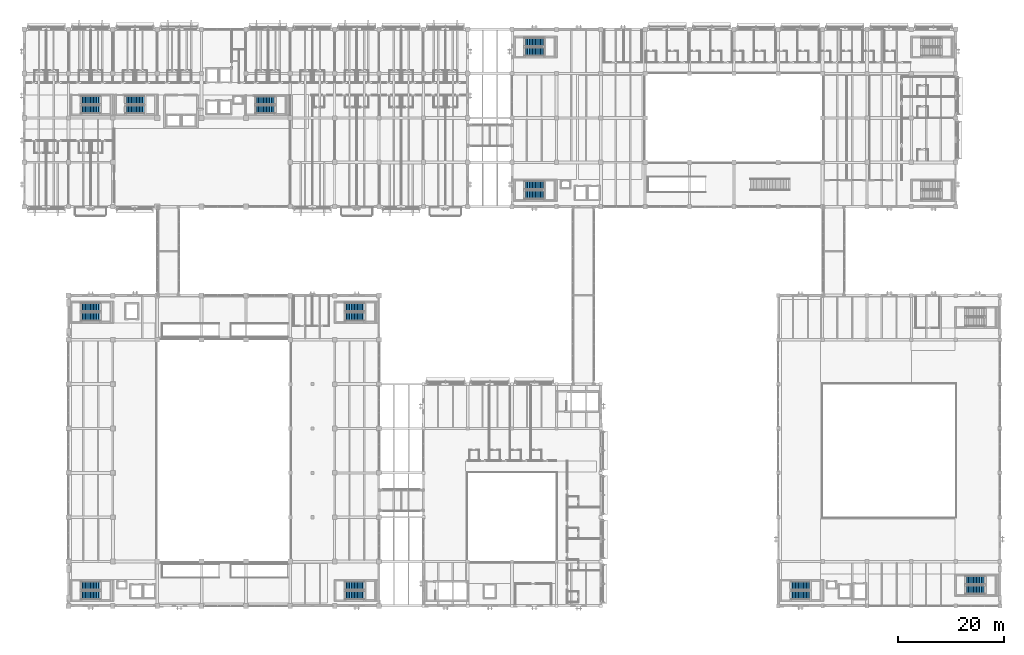
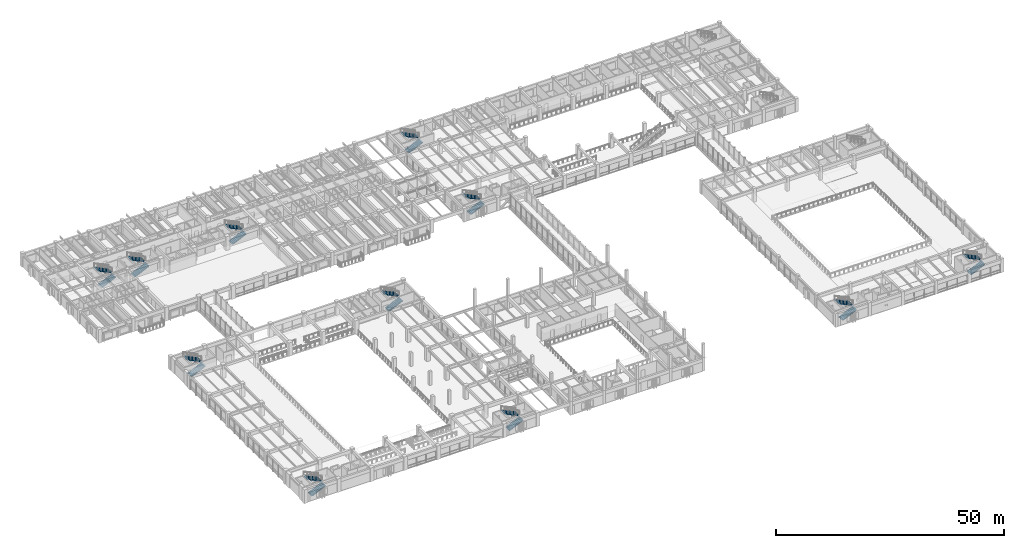
# One storey, part 84 of 118: 22 stair flights, 11 elements without a shape of their own.
"""IFC4 building model written with IfcOpenShell, lengths in metres."""

from ifc_helpers import new_model, si_unit, direction, frame, origin, place, context, subcontext, project, spatial, polyline, outline, extrude, material, type_object, element, aggregate, save


model = new_model("IFC4")

# Units and contexts
model_context = context("Model", 3, precision=1e-05, world=origin(), true_north=direction((0.0, 1.0)))
body_context = subcontext(model_context, "Body", "Model", "MODEL_VIEW")
ifc_project = project(units=[si_unit("LENGTHUNIT", "METRE"), si_unit("AREAUNIT", "SQUARE_METRE"), si_unit("VOLUMEUNIT", "CUBIC_METRE"), si_unit("PLANEANGLEUNIT", "RADIAN"), si_unit("MASSUNIT", "GRAM", prefix="KILO")], contexts=[model_context])

# Site, building, storey
site_placement = place(None, origin())
site = spatial("IfcSite", under=ifc_project, at=site_placement, CompositionType="ELEMENT")
building_placement = place(site_placement, origin())
building = spatial("IfcBuilding", under=site, at=building_placement, Name="Cumbredor Promenade Congress Hotel", CompositionType="ELEMENT")
storey_placement = place(building_placement, frame((0.0, 0.0, 3.919921875)))
storey = spatial("IfcBuildingStorey", under=building, at=storey_placement, Name="L01", CompositionType="ELEMENT", Elevation=3.919921875)

# Stair, stair flights
ifc_material = material(Name="Concrete C40/50", Category="concrete")
stair_type_1 = type_object("IfcStairType", Name="Protected Dog-Leg Exit Stair ST-T1 1550mm", PredefinedType="HALF_TURN_STAIR", material=ifc_material)
stair_1_placement = place(storey_placement, origin())
stair_1 = element("IfcStair", 1, at=stair_1_placement, inside=storey, type_object=stair_type_1, Name="L01 Protected Exit Stair ST-03", PredefinedType="HALF_TURN_STAIR")
stair_flight_type_1 = type_object("IfcStairFlightType", Name="Concrete Stair Flight SFL-T1 1550mm", PredefinedType="STRAIGHT", material=ifc_material)
stair_flight_1_placement = place(storey_placement, frame((43.800048828125, 102.39501953125, 0.0), z_axis=(0.0, 0.0, 1.0), x_axis=(1.0, 0.0, 0.0)))
stair_flight_1 = element("IfcStairFlight", 2, at=stair_flight_1_placement, type_object=stair_flight_type_1, Name="ST-03 flight 1", NumberOfRisers=13, NumberOfTreads=12, PredefinedType="STRAIGHT", RiserHeight=0.14, TreadLength=0.3, context=body_context, shape_type="SweptSolid", body=[
    extrude(outline(polyline([(0.0, 0.0), (0.0, 0.139892578125), (0.300048828125, 0.139892578125), (0.300048828125, 0.280029296875), (0.60009765625, 0.280029296875), (0.60009765625, 0.419921875), (0.89990234375, 0.419921875), (0.89990234375, 0.56005859375), (1.199951171875, 0.56005859375), (1.199951171875, 0.699951171875), (1.5, 0.699951171875), (1.5, 0.840087890625), (1.800048828125, 0.840087890625), (1.800048828125, 0.97998046875), (2.10009765625, 0.97998046875), (2.10009765625, 1.1201171875), (2.39990234375, 1.1201171875), (2.39990234375, 1.260009765625), (2.699951171875, 1.260009765625), (2.699951171875, 1.39990234375), (3.0, 1.39990234375), (3.0, 1.5400390625), (3.300048828125, 1.5400390625), (3.300048828125, 1.679931640625), (3.60009765625, 1.679931640625), (3.60009765625, 1.820068359375), (3.60009765625, 1.4814453125), (0.425537109375, 0.0), (0.0, 0.0)])), frame((0.0, 0.77490234375, 0.0), z_axis=(0.0, -1.0, 0.0), x_axis=(1.0, 0.0, 0.0)), (0.0, 0.0, 1.0), 1.550048828125),
])
stair_flight_2_placement = place(storey_placement, frame((47.39990234375, 104.094970703125, 1.820068359375), z_axis=(0.0, 0.0, 1.0), x_axis=(-1.0, 0.0, 0.0)))
stair_flight_2 = element("IfcStairFlight", 3, at=stair_flight_2_placement, type_object=stair_flight_type_1, Name="ST-03 flight 2", NumberOfRisers=13, NumberOfTreads=12, PredefinedType="STRAIGHT", RiserHeight=0.14, TreadLength=0.3, context=body_context, shape_type="SweptSolid", body=[
    extrude(outline(polyline([(0.0, 0.0), (0.0, 0.139892578125), (0.300048828125, 0.139892578125), (0.300048828125, 0.280029296875), (0.60009765625, 0.280029296875), (0.60009765625, 0.419921875), (0.89990234375, 0.419921875), (0.89990234375, 0.56005859375), (1.199951171875, 0.56005859375), (1.199951171875, 0.699951171875), (1.5, 0.699951171875), (1.5, 0.840087890625), (1.800048828125, 0.840087890625), (1.800048828125, 0.97998046875), (2.10009765625, 0.97998046875), (2.10009765625, 1.1201171875), (2.39990234375, 1.1201171875), (2.39990234375, 1.260009765625), (2.699951171875, 1.260009765625), (2.699951171875, 1.39990234375), (3.0, 1.39990234375), (3.0, 1.5400390625), (3.300048828125, 1.5400390625), (3.300048828125, 1.679931640625), (3.60009765625, 1.679931640625), (3.60009765625, 1.820068359375), (3.60009765625, 1.4814453125), (0.425537109375, 0.0), (0.0, 0.0)])), frame((0.0, 0.77490234375, 0.0), z_axis=(0.0, -1.0, 0.0), x_axis=(1.0, 0.0, 0.0)), (0.0, 0.0, 1.0), 1.550048828125),
])
aggregate(stair_1, [stair_flight_1, stair_flight_2])

stair_type_2 = type_object("IfcStairType", Name="Protected Dog-Leg Exit Stair ST-T2 1600mm", PredefinedType="HALF_TURN_STAIR", material=ifc_material)
stair_2_placement = place(storey_placement, origin())
stair_2 = element("IfcStair", 4, at=stair_2_placement, inside=storey, type_object=stair_type_2, Name="L01 Protected Exit Stair ST-01", PredefinedType="HALF_TURN_STAIR")
stair_flight_type_2 = type_object("IfcStairFlightType", Name="Concrete Stair Flight SFL-T2 1600mm", PredefinedType="STRAIGHT", material=ifc_material)
stair_flight_3_placement = place(storey_placement, frame((10.75, 102.419921875, 0.0), z_axis=(0.0, 0.0, 1.0), x_axis=(1.0, 0.0, 0.0)))
stair_flight_3 = element("IfcStairFlight", 5, at=stair_flight_3_placement, type_object=stair_flight_type_2, Name="ST-01 flight 1", NumberOfRisers=13, NumberOfTreads=12, PredefinedType="STRAIGHT", RiserHeight=0.14, TreadLength=0.3, context=body_context, shape_type="SweptSolid", body=[
    extrude(outline(polyline([(0.0, 0.0), (0.0, 0.139892578125), (0.300048828125, 0.139892578125), (0.300048828125, 0.280029296875), (0.60009765625, 0.280029296875), (0.60009765625, 0.419921875), (0.89990234375, 0.419921875), (0.89990234375, 0.56005859375), (1.199951171875, 0.56005859375), (1.199951171875, 0.699951171875), (1.5, 0.699951171875), (1.5, 0.840087890625), (1.800048828125, 0.840087890625), (1.800048828125, 0.97998046875), (2.10009765625, 0.97998046875), (2.10009765625, 1.1201171875), (2.39990234375, 1.1201171875), (2.39990234375, 1.260009765625), (2.699951171875, 1.260009765625), (2.699951171875, 1.39990234375), (3.0, 1.39990234375), (3.0, 1.5400390625), (3.300048828125, 1.5400390625), (3.300048828125, 1.679931640625), (3.60009765625, 1.679931640625), (3.60009765625, 1.820068359375), (3.60009765625, 1.4814453125), (0.425537109375, 0.0), (0.0, 0.0)])), frame((0.0, 0.800048828125, 0.0), z_axis=(0.0, -1.0, 0.0), x_axis=(1.0, 0.0, 0.0)), (0.0, 0.0, 1.0), 1.60009765625),
])
stair_flight_4_placement = place(storey_placement, frame((14.35009765625, 104.169921875, 1.820068359375), z_axis=(0.0, 0.0, 1.0), x_axis=(-1.0, 0.0, 0.0)))
stair_flight_4 = element("IfcStairFlight", 6, at=stair_flight_4_placement, type_object=stair_flight_type_2, Name="ST-01 flight 2", NumberOfRisers=13, NumberOfTreads=12, PredefinedType="STRAIGHT", RiserHeight=0.14, TreadLength=0.3, context=body_context, shape_type="SweptSolid", body=[
    extrude(outline(polyline([(0.0, 0.0), (0.0, 0.139892578125), (0.300048828125, 0.139892578125), (0.300048828125, 0.280029296875), (0.60009765625, 0.280029296875), (0.60009765625, 0.419921875), (0.89990234375, 0.419921875), (0.89990234375, 0.56005859375), (1.199951171875, 0.56005859375), (1.199951171875, 0.699951171875), (1.5, 0.699951171875), (1.5, 0.840087890625), (1.800048828125, 0.840087890625), (1.800048828125, 0.97998046875), (2.10009765625, 0.97998046875), (2.10009765625, 1.1201171875), (2.39990234375, 1.1201171875), (2.39990234375, 1.260009765625), (2.699951171875, 1.260009765625), (2.699951171875, 1.39990234375), (3.0, 1.39990234375), (3.0, 1.5400390625), (3.300048828125, 1.5400390625), (3.300048828125, 1.679931640625), (3.60009765625, 1.679931640625), (3.60009765625, 1.820068359375), (3.60009765625, 1.4814453125), (0.425537109375, 0.0), (0.0, 0.0)])), frame((0.0, 0.800048828125, 0.0), z_axis=(0.0, -1.0, 0.0), x_axis=(1.0, 0.0, 0.0)), (0.0, 0.0, 1.0), 1.60009765625),
])
aggregate(stair_2, [stair_flight_3, stair_flight_4])

stair_3_placement = place(storey_placement, origin())
stair_3 = element("IfcStair", 7, at=stair_3_placement, inside=storey, type_object=stair_type_2, Name="L01 Protected Exit Stair ST-02", PredefinedType="HALF_TURN_STAIR")
stair_flight_5_placement = place(storey_placement, frame((19.14990234375, 102.419921875, 0.0), z_axis=(0.0, 0.0, 1.0), x_axis=(1.0, 0.0, 0.0)))
stair_flight_5 = element("IfcStairFlight", 8, at=stair_flight_5_placement, type_object=stair_flight_type_2, Name="ST-02 flight 1", NumberOfRisers=13, NumberOfTreads=12, PredefinedType="STRAIGHT", RiserHeight=0.14, TreadLength=0.3, context=body_context, shape_type="SweptSolid", body=[
    extrude(outline(polyline([(0.0, 0.0), (0.0, 0.139892578125), (0.300048828125, 0.139892578125), (0.300048828125, 0.280029296875), (0.60009765625, 0.280029296875), (0.60009765625, 0.419921875), (0.89990234375, 0.419921875), (0.89990234375, 0.56005859375), (1.199951171875, 0.56005859375), (1.199951171875, 0.699951171875), (1.5, 0.699951171875), (1.5, 0.840087890625), (1.800048828125, 0.840087890625), (1.800048828125, 0.97998046875), (2.10009765625, 0.97998046875), (2.10009765625, 1.1201171875), (2.39990234375, 1.1201171875), (2.39990234375, 1.260009765625), (2.699951171875, 1.260009765625), (2.699951171875, 1.39990234375), (3.0, 1.39990234375), (3.0, 1.5400390625), (3.300048828125, 1.5400390625), (3.300048828125, 1.679931640625), (3.60009765625, 1.679931640625), (3.60009765625, 1.820068359375), (3.60009765625, 1.4814453125), (0.425537109375, 0.0), (0.0, 0.0)])), frame((0.0, 0.800048828125, 0.0), z_axis=(0.0, -1.0, 0.0), x_axis=(1.0, 0.0, 0.0)), (0.0, 0.0, 1.0), 1.60009765625),
])
stair_flight_6_placement = place(storey_placement, frame((22.75, 104.169921875, 1.820068359375), z_axis=(0.0, 0.0, 1.0), x_axis=(-1.0, 0.0, 0.0)))
stair_flight_6 = element("IfcStairFlight", 9, at=stair_flight_6_placement, type_object=stair_flight_type_2, Name="ST-02 flight 2", NumberOfRisers=13, NumberOfTreads=12, PredefinedType="STRAIGHT", RiserHeight=0.14, TreadLength=0.3, context=body_context, shape_type="SweptSolid", body=[
    extrude(outline(polyline([(0.0, 0.0), (0.0, 0.139892578125), (0.300048828125, 0.139892578125), (0.300048828125, 0.280029296875), (0.60009765625, 0.280029296875), (0.60009765625, 0.419921875), (0.89990234375, 0.419921875), (0.89990234375, 0.56005859375), (1.199951171875, 0.56005859375), (1.199951171875, 0.699951171875), (1.5, 0.699951171875), (1.5, 0.840087890625), (1.800048828125, 0.840087890625), (1.800048828125, 0.97998046875), (2.10009765625, 0.97998046875), (2.10009765625, 1.1201171875), (2.39990234375, 1.1201171875), (2.39990234375, 1.260009765625), (2.699951171875, 1.260009765625), (2.699951171875, 1.39990234375), (3.0, 1.39990234375), (3.0, 1.5400390625), (3.300048828125, 1.5400390625), (3.300048828125, 1.679931640625), (3.60009765625, 1.679931640625), (3.60009765625, 1.820068359375), (3.60009765625, 1.4814453125), (0.425537109375, 0.0), (0.0, 0.0)])), frame((0.0, 0.800048828125, 0.0), z_axis=(0.0, -1.0, 0.0), x_axis=(1.0, 0.0, 0.0)), (0.0, 0.0, 1.0), 1.60009765625),
])
aggregate(stair_3, [stair_flight_5, stair_flight_6])

stair_type_3 = type_object("IfcStairType", Name="Protected Dog-Leg Exit Stair ST-T3 1650mm", PredefinedType="HALF_TURN_STAIR", material=ifc_material)
stair_4_placement = place(storey_placement, origin())
stair_4 = element("IfcStair", 10, at=stair_4_placement, inside=storey, type_object=stair_type_3, Name="L01 Protected Exit Stair ST-04", PredefinedType="HALF_TURN_STAIR")
stair_flight_type_3 = type_object("IfcStairFlightType", Name="Concrete Stair Flight SFL-T3 1650mm", PredefinedType="STRAIGHT", material=ifc_material)
stair_flight_7_placement = place(storey_placement, frame((10.75, 10.425048828125, 0.0), z_axis=(0.0, 0.0, 1.0), x_axis=(1.0, 0.0, 0.0)))
stair_flight_7 = element("IfcStairFlight", 11, at=stair_flight_7_placement, type_object=stair_flight_type_3, Name="ST-04 flight 1", NumberOfRisers=13, NumberOfTreads=12, PredefinedType="STRAIGHT", RiserHeight=0.14, TreadLength=0.3, context=body_context, shape_type="SweptSolid", body=[
    extrude(outline(polyline([(0.0, 0.0), (0.0, 0.139892578125), (0.300048828125, 0.139892578125), (0.300048828125, 0.280029296875), (0.60009765625, 0.280029296875), (0.60009765625, 0.419921875), (0.89990234375, 0.419921875), (0.89990234375, 0.56005859375), (1.199951171875, 0.56005859375), (1.199951171875, 0.699951171875), (1.5, 0.699951171875), (1.5, 0.840087890625), (1.800048828125, 0.840087890625), (1.800048828125, 0.97998046875), (2.10009765625, 0.97998046875), (2.10009765625, 1.1201171875), (2.39990234375, 1.1201171875), (2.39990234375, 1.260009765625), (2.699951171875, 1.260009765625), (2.699951171875, 1.39990234375), (3.0, 1.39990234375), (3.0, 1.5400390625), (3.300048828125, 1.5400390625), (3.300048828125, 1.679931640625), (3.60009765625, 1.679931640625), (3.60009765625, 1.820068359375), (3.60009765625, 1.4814453125), (0.425537109375, 0.0), (0.0, 0.0)])), frame((0.0, 0.824951171875, 0.0), z_axis=(0.0, -1.0, 0.0), x_axis=(1.0, 0.0, 0.0)), (0.0, 0.0, 1.0), 1.64990234375),
])
stair_flight_8_placement = place(storey_placement, frame((14.35009765625, 12.22509765625, 1.820068359375), z_axis=(0.0, 0.0, 1.0), x_axis=(-1.0, 0.0, 0.0)))
stair_flight_8 = element("IfcStairFlight", 12, at=stair_flight_8_placement, type_object=stair_flight_type_3, Name="ST-04 flight 2", NumberOfRisers=13, NumberOfTreads=12, PredefinedType="STRAIGHT", RiserHeight=0.14, TreadLength=0.3, context=body_context, shape_type="SweptSolid", body=[
    extrude(outline(polyline([(0.0, 0.0), (0.0, 0.139892578125), (0.300048828125, 0.139892578125), (0.300048828125, 0.280029296875), (0.60009765625, 0.280029296875), (0.60009765625, 0.419921875), (0.89990234375, 0.419921875), (0.89990234375, 0.56005859375), (1.199951171875, 0.56005859375), (1.199951171875, 0.699951171875), (1.5, 0.699951171875), (1.5, 0.840087890625), (1.800048828125, 0.840087890625), (1.800048828125, 0.97998046875), (2.10009765625, 0.97998046875), (2.10009765625, 1.1201171875), (2.39990234375, 1.1201171875), (2.39990234375, 1.260009765625), (2.699951171875, 1.260009765625), (2.699951171875, 1.39990234375), (3.0, 1.39990234375), (3.0, 1.5400390625), (3.300048828125, 1.5400390625), (3.300048828125, 1.679931640625), (3.60009765625, 1.679931640625), (3.60009765625, 1.820068359375), (3.60009765625, 1.4814453125), (0.425537109375, 0.0), (0.0, 0.0)])), frame((0.0, 0.824951171875, 0.0), z_axis=(0.0, -1.0, 0.0), x_axis=(1.0, 0.0, 0.0)), (0.0, 0.0, 1.0), 1.64990234375),
])
aggregate(stair_4, [stair_flight_7, stair_flight_8])

stair_5_placement = place(storey_placement, origin())
stair_5 = element("IfcStair", 13, at=stair_5_placement, inside=storey, type_object=stair_type_3, Name="L01 Protected Exit Stair ST-05", PredefinedType="HALF_TURN_STAIR")
stair_flight_9_placement = place(storey_placement, frame((60.75, 10.425048828125, 0.0), z_axis=(0.0, 0.0, 1.0), x_axis=(1.0, 0.0, 0.0)))
stair_flight_9 = element("IfcStairFlight", 14, at=stair_flight_9_placement, type_object=stair_flight_type_3, Name="ST-05 flight 1", NumberOfRisers=13, NumberOfTreads=12, PredefinedType="STRAIGHT", RiserHeight=0.14, TreadLength=0.3, context=body_context, shape_type="SweptSolid", body=[
    extrude(outline(polyline([(0.0, 0.0), (0.0, 0.139892578125), (0.300048828125, 0.139892578125), (0.300048828125, 0.280029296875), (0.60009765625, 0.280029296875), (0.60009765625, 0.419921875), (0.89990234375, 0.419921875), (0.89990234375, 0.56005859375), (1.199951171875, 0.56005859375), (1.199951171875, 0.699951171875), (1.5, 0.699951171875), (1.5, 0.840087890625), (1.800048828125, 0.840087890625), (1.800048828125, 0.97998046875), (2.10009765625, 0.97998046875), (2.10009765625, 1.1201171875), (2.39990234375, 1.1201171875), (2.39990234375, 1.260009765625), (2.699951171875, 1.260009765625), (2.699951171875, 1.39990234375), (3.0, 1.39990234375), (3.0, 1.5400390625), (3.300048828125, 1.5400390625), (3.300048828125, 1.679931640625), (3.60009765625, 1.679931640625), (3.60009765625, 1.820068359375), (3.60009765625, 1.4814453125), (0.425537109375, 0.0), (0.0, 0.0)])), frame((0.0, 0.824951171875, 0.0), z_axis=(0.0, -1.0, 0.0), x_axis=(1.0, 0.0, 0.0)), (0.0, 0.0, 1.0), 1.64990234375),
])
stair_flight_10_placement = place(storey_placement, frame((64.35009765625, 12.22509765625, 1.820068359375), z_axis=(0.0, 0.0, 1.0), x_axis=(-1.0, 0.0, 0.0)))
stair_flight_10 = element("IfcStairFlight", 15, at=stair_flight_10_placement, type_object=stair_flight_type_3, Name="ST-05 flight 2", NumberOfRisers=13, NumberOfTreads=12, PredefinedType="STRAIGHT", RiserHeight=0.14, TreadLength=0.3, context=body_context, shape_type="SweptSolid", body=[
    extrude(outline(polyline([(0.0, 0.0), (0.0, 0.139892578125), (0.300048828125, 0.139892578125), (0.300048828125, 0.280029296875), (0.60009765625, 0.280029296875), (0.60009765625, 0.419921875), (0.89990234375, 0.419921875), (0.89990234375, 0.56005859375), (1.199951171875, 0.56005859375), (1.199951171875, 0.699951171875), (1.5, 0.699951171875), (1.5, 0.840087890625), (1.800048828125, 0.840087890625), (1.800048828125, 0.97998046875), (2.10009765625, 0.97998046875), (2.10009765625, 1.1201171875), (2.39990234375, 1.1201171875), (2.39990234375, 1.260009765625), (2.699951171875, 1.260009765625), (2.699951171875, 1.39990234375), (3.0, 1.39990234375), (3.0, 1.5400390625), (3.300048828125, 1.5400390625), (3.300048828125, 1.679931640625), (3.60009765625, 1.679931640625), (3.60009765625, 1.820068359375), (3.60009765625, 1.4814453125), (0.425537109375, 0.0), (0.0, 0.0)])), frame((0.0, 0.824951171875, 0.0), z_axis=(0.0, -1.0, 0.0), x_axis=(1.0, 0.0, 0.0)), (0.0, 0.0, 1.0), 1.64990234375),
])
aggregate(stair_5, [stair_flight_9, stair_flight_10])

stair_6_placement = place(storey_placement, origin())
stair_6 = element("IfcStair", 16, at=stair_6_placement, inside=storey, type_object=stair_type_3, Name="L01 Protected Exit Stair ST-06", PredefinedType="HALF_TURN_STAIR")
stair_flight_11_placement = place(storey_placement, frame((10.75, 63.175048828125, 0.0), z_axis=(0.0, 0.0, 1.0), x_axis=(1.0, 0.0, 0.0)))
stair_flight_11 = element("IfcStairFlight", 17, at=stair_flight_11_placement, type_object=stair_flight_type_3, Name="ST-06 flight 1", NumberOfRisers=13, NumberOfTreads=12, PredefinedType="STRAIGHT", RiserHeight=0.14, TreadLength=0.3, context=body_context, shape_type="SweptSolid", body=[
    extrude(outline(polyline([(0.0, 0.0), (0.0, 0.139892578125), (0.300048828125, 0.139892578125), (0.300048828125, 0.280029296875), (0.60009765625, 0.280029296875), (0.60009765625, 0.419921875), (0.89990234375, 0.419921875), (0.89990234375, 0.56005859375), (1.199951171875, 0.56005859375), (1.199951171875, 0.699951171875), (1.5, 0.699951171875), (1.5, 0.840087890625), (1.800048828125, 0.840087890625), (1.800048828125, 0.97998046875), (2.10009765625, 0.97998046875), (2.10009765625, 1.1201171875), (2.39990234375, 1.1201171875), (2.39990234375, 1.260009765625), (2.699951171875, 1.260009765625), (2.699951171875, 1.39990234375), (3.0, 1.39990234375), (3.0, 1.5400390625), (3.300048828125, 1.5400390625), (3.300048828125, 1.679931640625), (3.60009765625, 1.679931640625), (3.60009765625, 1.820068359375), (3.60009765625, 1.4814453125), (0.425537109375, 0.0), (0.0, 0.0)])), frame((0.0, 0.824951171875, 0.0), z_axis=(0.0, -1.0, 0.0), x_axis=(1.0, 0.0, 0.0)), (0.0, 0.0, 1.0), 1.64990234375),
])
stair_flight_12_placement = place(storey_placement, frame((14.35009765625, 64.97509765625, 1.820068359375), z_axis=(0.0, 0.0, 1.0), x_axis=(-1.0, 0.0, 0.0)))
stair_flight_12 = element("IfcStairFlight", 18, at=stair_flight_12_placement, type_object=stair_flight_type_3, Name="ST-06 flight 2", NumberOfRisers=13, NumberOfTreads=12, PredefinedType="STRAIGHT", RiserHeight=0.14, TreadLength=0.3, context=body_context, shape_type="SweptSolid", body=[
    extrude(outline(polyline([(0.0, 0.0), (0.0, 0.139892578125), (0.300048828125, 0.139892578125), (0.300048828125, 0.280029296875), (0.60009765625, 0.280029296875), (0.60009765625, 0.419921875), (0.89990234375, 0.419921875), (0.89990234375, 0.56005859375), (1.199951171875, 0.56005859375), (1.199951171875, 0.699951171875), (1.5, 0.699951171875), (1.5, 0.840087890625), (1.800048828125, 0.840087890625), (1.800048828125, 0.97998046875), (2.10009765625, 0.97998046875), (2.10009765625, 1.1201171875), (2.39990234375, 1.1201171875), (2.39990234375, 1.260009765625), (2.699951171875, 1.260009765625), (2.699951171875, 1.39990234375), (3.0, 1.39990234375), (3.0, 1.5400390625), (3.300048828125, 1.5400390625), (3.300048828125, 1.679931640625), (3.60009765625, 1.679931640625), (3.60009765625, 1.820068359375), (3.60009765625, 1.4814453125), (0.425537109375, 0.0), (0.0, 0.0)])), frame((0.0, 0.824951171875, 0.0), z_axis=(0.0, -1.0, 0.0), x_axis=(1.0, 0.0, 0.0)), (0.0, 0.0, 1.0), 1.64990234375),
])
aggregate(stair_6, [stair_flight_11, stair_flight_12])

stair_7_placement = place(storey_placement, origin())
stair_7 = element("IfcStair", 19, at=stair_7_placement, inside=storey, type_object=stair_type_3, Name="L01 Protected Exit Stair ST-07", PredefinedType="HALF_TURN_STAIR")
stair_flight_13_placement = place(storey_placement, frame((60.75, 63.175048828125, 0.0), z_axis=(0.0, 0.0, 1.0), x_axis=(1.0, 0.0, 0.0)))
stair_flight_13 = element("IfcStairFlight", 20, at=stair_flight_13_placement, type_object=stair_flight_type_3, Name="ST-07 flight 1", NumberOfRisers=13, NumberOfTreads=12, PredefinedType="STRAIGHT", RiserHeight=0.14, TreadLength=0.3, context=body_context, shape_type="SweptSolid", body=[
    extrude(outline(polyline([(0.0, 0.0), (0.0, 0.139892578125), (0.300048828125, 0.139892578125), (0.300048828125, 0.280029296875), (0.60009765625, 0.280029296875), (0.60009765625, 0.419921875), (0.89990234375, 0.419921875), (0.89990234375, 0.56005859375), (1.199951171875, 0.56005859375), (1.199951171875, 0.699951171875), (1.5, 0.699951171875), (1.5, 0.840087890625), (1.800048828125, 0.840087890625), (1.800048828125, 0.97998046875), (2.10009765625, 0.97998046875), (2.10009765625, 1.1201171875), (2.39990234375, 1.1201171875), (2.39990234375, 1.260009765625), (2.699951171875, 1.260009765625), (2.699951171875, 1.39990234375), (3.0, 1.39990234375), (3.0, 1.5400390625), (3.300048828125, 1.5400390625), (3.300048828125, 1.679931640625), (3.60009765625, 1.679931640625), (3.60009765625, 1.820068359375), (3.60009765625, 1.4814453125), (0.425537109375, 0.0), (0.0, 0.0)])), frame((0.0, 0.824951171875, 0.0), z_axis=(0.0, -1.0, 0.0), x_axis=(1.0, 0.0, 0.0)), (0.0, 0.0, 1.0), 1.64990234375),
])
stair_flight_14_placement = place(storey_placement, frame((64.35009765625, 64.97509765625, 1.820068359375), z_axis=(0.0, 0.0, 1.0), x_axis=(-1.0, 0.0, 0.0)))
stair_flight_14 = element("IfcStairFlight", 21, at=stair_flight_14_placement, type_object=stair_flight_type_3, Name="ST-07 flight 2", NumberOfRisers=13, NumberOfTreads=12, PredefinedType="STRAIGHT", RiserHeight=0.14, TreadLength=0.3, context=body_context, shape_type="SweptSolid", body=[
    extrude(outline(polyline([(0.0, 0.0), (0.0, 0.139892578125), (0.300048828125, 0.139892578125), (0.300048828125, 0.280029296875), (0.60009765625, 0.280029296875), (0.60009765625, 0.419921875), (0.89990234375, 0.419921875), (0.89990234375, 0.56005859375), (1.199951171875, 0.56005859375), (1.199951171875, 0.699951171875), (1.5, 0.699951171875), (1.5, 0.840087890625), (1.800048828125, 0.840087890625), (1.800048828125, 0.97998046875), (2.10009765625, 0.97998046875), (2.10009765625, 1.1201171875), (2.39990234375, 1.1201171875), (2.39990234375, 1.260009765625), (2.699951171875, 1.260009765625), (2.699951171875, 1.39990234375), (3.0, 1.39990234375), (3.0, 1.5400390625), (3.300048828125, 1.5400390625), (3.300048828125, 1.679931640625), (3.60009765625, 1.679931640625), (3.60009765625, 1.820068359375), (3.60009765625, 1.4814453125), (0.425537109375, 0.0), (0.0, 0.0)])), frame((0.0, 0.824951171875, 0.0), z_axis=(0.0, -1.0, 0.0), x_axis=(1.0, 0.0, 0.0)), (0.0, 0.0, 1.0), 1.64990234375),
])
aggregate(stair_7, [stair_flight_13, stair_flight_14])

stair_8_placement = place(storey_placement, origin())
stair_8 = element("IfcStair", 22, at=stair_8_placement, inside=storey, type_object=stair_type_3, Name="L01 Protected Exit Stair ST-08", PredefinedType="HALF_TURN_STAIR")
stair_flight_15_placement = place(storey_placement, frame((145.14990234375, 10.425048828125, 0.0), z_axis=(0.0, 0.0, 1.0), x_axis=(1.0, 0.0, 0.0)))
stair_flight_15 = element("IfcStairFlight", 23, at=stair_flight_15_placement, type_object=stair_flight_type_3, Name="ST-08 flight 1", NumberOfRisers=13, NumberOfTreads=12, PredefinedType="STRAIGHT", RiserHeight=0.14, TreadLength=0.3, context=body_context, shape_type="SweptSolid", body=[
    extrude(outline(polyline([(0.0, 0.0), (0.0, 0.139892578125), (0.300048828125, 0.139892578125), (0.300048828125, 0.280029296875), (0.60009765625, 0.280029296875), (0.60009765625, 0.419921875), (0.89990234375, 0.419921875), (0.89990234375, 0.56005859375), (1.199951171875, 0.56005859375), (1.199951171875, 0.699951171875), (1.5, 0.699951171875), (1.5, 0.840087890625), (1.800048828125, 0.840087890625), (1.800048828125, 0.97998046875), (2.10009765625, 0.97998046875), (2.10009765625, 1.1201171875), (2.39990234375, 1.1201171875), (2.39990234375, 1.260009765625), (2.699951171875, 1.260009765625), (2.699951171875, 1.39990234375), (3.0, 1.39990234375), (3.0, 1.5400390625), (3.300048828125, 1.5400390625), (3.300048828125, 1.679931640625), (3.60009765625, 1.679931640625), (3.60009765625, 1.820068359375), (3.60009765625, 1.4814453125), (0.425537109375, 0.0), (0.0, 0.0)])), frame((0.0, 0.824951171875, 0.0), z_axis=(0.0, -1.0, 0.0), x_axis=(1.0, 0.0, 0.0)), (0.0, 0.0, 1.0), 1.64990234375),
])
stair_flight_16_placement = place(storey_placement, frame((148.75, 12.22509765625, 1.820068359375), z_axis=(0.0, 0.0, 1.0), x_axis=(-1.0, 0.0, 0.0)))
stair_flight_16 = element("IfcStairFlight", 24, at=stair_flight_16_placement, type_object=stair_flight_type_3, Name="ST-08 flight 2", NumberOfRisers=13, NumberOfTreads=12, PredefinedType="STRAIGHT", RiserHeight=0.14, TreadLength=0.3, context=body_context, shape_type="SweptSolid", body=[
    extrude(outline(polyline([(0.0, 0.0), (0.0, 0.139892578125), (0.300048828125, 0.139892578125), (0.300048828125, 0.280029296875), (0.60009765625, 0.280029296875), (0.60009765625, 0.419921875), (0.89990234375, 0.419921875), (0.89990234375, 0.56005859375), (1.199951171875, 0.56005859375), (1.199951171875, 0.699951171875), (1.5, 0.699951171875), (1.5, 0.840087890625), (1.800048828125, 0.840087890625), (1.800048828125, 0.97998046875), (2.10009765625, 0.97998046875), (2.10009765625, 1.1201171875), (2.39990234375, 1.1201171875), (2.39990234375, 1.260009765625), (2.699951171875, 1.260009765625), (2.699951171875, 1.39990234375), (3.0, 1.39990234375), (3.0, 1.5400390625), (3.300048828125, 1.5400390625), (3.300048828125, 1.679931640625), (3.60009765625, 1.679931640625), (3.60009765625, 1.820068359375), (3.60009765625, 1.4814453125), (0.425537109375, 0.0), (0.0, 0.0)])), frame((0.0, 0.824951171875, 0.0), z_axis=(0.0, -1.0, 0.0), x_axis=(1.0, 0.0, 0.0)), (0.0, 0.0, 1.0), 1.64990234375),
])
aggregate(stair_8, [stair_flight_15, stair_flight_16])

stair_9_placement = place(storey_placement, origin())
stair_9 = element("IfcStair", 25, at=stair_9_placement, inside=storey, type_object=stair_type_3, Name="L01 Protected Exit Stair ST-09", PredefinedType="HALF_TURN_STAIR")
stair_flight_17_placement = place(storey_placement, frame((178.25, 11.425048828125, 0.0), z_axis=(0.0, 0.0, 1.0), x_axis=(1.0, 0.0, 0.0)))
stair_flight_17 = element("IfcStairFlight", 26, at=stair_flight_17_placement, type_object=stair_flight_type_3, Name="ST-09 flight 1", NumberOfRisers=13, NumberOfTreads=12, PredefinedType="STRAIGHT", RiserHeight=0.14, TreadLength=0.3, context=body_context, shape_type="SweptSolid", body=[
    extrude(outline(polyline([(0.0, 0.0), (0.0, 0.139892578125), (0.300048828125, 0.139892578125), (0.300048828125, 0.280029296875), (0.60009765625, 0.280029296875), (0.60009765625, 0.419921875), (0.89990234375, 0.419921875), (0.89990234375, 0.56005859375), (1.199951171875, 0.56005859375), (1.199951171875, 0.699951171875), (1.5, 0.699951171875), (1.5, 0.840087890625), (1.800048828125, 0.840087890625), (1.800048828125, 0.97998046875), (2.10009765625, 0.97998046875), (2.10009765625, 1.1201171875), (2.39990234375, 1.1201171875), (2.39990234375, 1.260009765625), (2.699951171875, 1.260009765625), (2.699951171875, 1.39990234375), (3.0, 1.39990234375), (3.0, 1.5400390625), (3.300048828125, 1.5400390625), (3.300048828125, 1.679931640625), (3.60009765625, 1.679931640625), (3.60009765625, 1.820068359375), (3.60009765625, 1.4814453125), (0.425537109375, 0.0), (0.0, 0.0)])), frame((0.0, 0.824951171875, 0.0), z_axis=(0.0, -1.0, 0.0), x_axis=(1.0, 0.0, 0.0)), (0.0, 0.0, 1.0), 1.64990234375),
])
stair_flight_18_placement = place(storey_placement, frame((181.85009765625, 13.22509765625, 1.820068359375), z_axis=(0.0, 0.0, 1.0), x_axis=(-1.0, 0.0, 0.0)))
stair_flight_18 = element("IfcStairFlight", 27, at=stair_flight_18_placement, type_object=stair_flight_type_3, Name="ST-09 flight 2", NumberOfRisers=13, NumberOfTreads=12, PredefinedType="STRAIGHT", RiserHeight=0.14, TreadLength=0.3, context=body_context, shape_type="SweptSolid", body=[
    extrude(outline(polyline([(0.0, 0.0), (0.0, 0.139892578125), (0.300048828125, 0.139892578125), (0.300048828125, 0.280029296875), (0.60009765625, 0.280029296875), (0.60009765625, 0.419921875), (0.89990234375, 0.419921875), (0.89990234375, 0.56005859375), (1.199951171875, 0.56005859375), (1.199951171875, 0.699951171875), (1.5, 0.699951171875), (1.5, 0.840087890625), (1.800048828125, 0.840087890625), (1.800048828125, 0.97998046875), (2.10009765625, 0.97998046875), (2.10009765625, 1.1201171875), (2.39990234375, 1.1201171875), (2.39990234375, 1.260009765625), (2.699951171875, 1.260009765625), (2.699951171875, 1.39990234375), (3.0, 1.39990234375), (3.0, 1.5400390625), (3.300048828125, 1.5400390625), (3.300048828125, 1.679931640625), (3.60009765625, 1.679931640625), (3.60009765625, 1.820068359375), (3.60009765625, 1.4814453125), (0.425537109375, 0.0), (0.0, 0.0)])), frame((0.0, 0.824951171875, 0.0), z_axis=(0.0, -1.0, 0.0), x_axis=(1.0, 0.0, 0.0)), (0.0, 0.0, 1.0), 1.64990234375),
])
aggregate(stair_9, [stair_flight_17, stair_flight_18])

stair_10_placement = place(storey_placement, origin())
stair_10 = element("IfcStair", 28, at=stair_10_placement, inside=storey, type_object=stair_type_3, Name="L01 Protected Exit Stair ST-13", PredefinedType="HALF_TURN_STAIR")
stair_flight_19_placement = place(storey_placement, frame((94.75, 86.22509765625, 0.0), z_axis=(0.0, 0.0, 1.0), x_axis=(1.0, 0.0, 0.0)))
stair_flight_19 = element("IfcStairFlight", 29, at=stair_flight_19_placement, type_object=stair_flight_type_3, Name="ST-13 flight 1", NumberOfRisers=13, NumberOfTreads=12, PredefinedType="STRAIGHT", RiserHeight=0.14, TreadLength=0.3, context=body_context, shape_type="SweptSolid", body=[
    extrude(outline(polyline([(0.0, 0.0), (0.0, 0.139892578125), (0.300048828125, 0.139892578125), (0.300048828125, 0.280029296875), (0.60009765625, 0.280029296875), (0.60009765625, 0.419921875), (0.89990234375, 0.419921875), (0.89990234375, 0.56005859375), (1.199951171875, 0.56005859375), (1.199951171875, 0.699951171875), (1.5, 0.699951171875), (1.5, 0.840087890625), (1.800048828125, 0.840087890625), (1.800048828125, 0.97998046875), (2.10009765625, 0.97998046875), (2.10009765625, 1.1201171875), (2.39990234375, 1.1201171875), (2.39990234375, 1.260009765625), (2.699951171875, 1.260009765625), (2.699951171875, 1.39990234375), (3.0, 1.39990234375), (3.0, 1.5400390625), (3.300048828125, 1.5400390625), (3.300048828125, 1.679931640625), (3.60009765625, 1.679931640625), (3.60009765625, 1.820068359375), (3.60009765625, 1.4814453125), (0.425537109375, 0.0), (0.0, 0.0)])), frame((0.0, 0.824951171875, 0.0), z_axis=(0.0, -1.0, 0.0), x_axis=(1.0, 0.0, 0.0)), (0.0, 0.0, 1.0), 1.64990234375),
])
stair_flight_20_placement = place(storey_placement, frame((98.35009765625, 88.02490234375, 1.820068359375), z_axis=(0.0, 0.0, 1.0), x_axis=(-1.0, 0.0, 0.0)))
stair_flight_20 = element("IfcStairFlight", 30, at=stair_flight_20_placement, type_object=stair_flight_type_3, Name="ST-13 flight 2", NumberOfRisers=13, NumberOfTreads=12, PredefinedType="STRAIGHT", RiserHeight=0.14, TreadLength=0.3, context=body_context, shape_type="SweptSolid", body=[
    extrude(outline(polyline([(0.0, 0.0), (0.0, 0.139892578125), (0.300048828125, 0.139892578125), (0.300048828125, 0.280029296875), (0.60009765625, 0.280029296875), (0.60009765625, 0.419921875), (0.89990234375, 0.419921875), (0.89990234375, 0.56005859375), (1.199951171875, 0.56005859375), (1.199951171875, 0.699951171875), (1.5, 0.699951171875), (1.5, 0.840087890625), (1.800048828125, 0.840087890625), (1.800048828125, 0.97998046875), (2.10009765625, 0.97998046875), (2.10009765625, 1.1201171875), (2.39990234375, 1.1201171875), (2.39990234375, 1.260009765625), (2.699951171875, 1.260009765625), (2.699951171875, 1.39990234375), (3.0, 1.39990234375), (3.0, 1.5400390625), (3.300048828125, 1.5400390625), (3.300048828125, 1.679931640625), (3.60009765625, 1.679931640625), (3.60009765625, 1.820068359375), (3.60009765625, 1.4814453125), (0.425537109375, 0.0), (0.0, 0.0)])), frame((0.0, 0.824951171875, 0.0), z_axis=(0.0, -1.0, 0.0), x_axis=(1.0, 0.0, 0.0)), (0.0, 0.0, 1.0), 1.64990234375),
])
aggregate(stair_10, [stair_flight_19, stair_flight_20])

stair_11_placement = place(storey_placement, origin())
stair_11 = element("IfcStair", 31, at=stair_11_placement, inside=storey, type_object=stair_type_3, Name="L01 Protected Exit Stair ST-15", PredefinedType="HALF_TURN_STAIR")
stair_flight_21_placement = place(storey_placement, frame((94.75, 113.375, 0.0), z_axis=(0.0, 0.0, 1.0), x_axis=(1.0, 0.0, 0.0)))
stair_flight_21 = element("IfcStairFlight", 32, at=stair_flight_21_placement, type_object=stair_flight_type_3, Name="ST-15 flight 1", NumberOfRisers=13, NumberOfTreads=12, PredefinedType="STRAIGHT", RiserHeight=0.14, TreadLength=0.3, context=body_context, shape_type="SweptSolid", body=[
    extrude(outline(polyline([(0.0, 0.0), (0.0, 0.139892578125), (0.300048828125, 0.139892578125), (0.300048828125, 0.280029296875), (0.60009765625, 0.280029296875), (0.60009765625, 0.419921875), (0.89990234375, 0.419921875), (0.89990234375, 0.56005859375), (1.199951171875, 0.56005859375), (1.199951171875, 0.699951171875), (1.5, 0.699951171875), (1.5, 0.840087890625), (1.800048828125, 0.840087890625), (1.800048828125, 0.97998046875), (2.10009765625, 0.97998046875), (2.10009765625, 1.1201171875), (2.39990234375, 1.1201171875), (2.39990234375, 1.260009765625), (2.699951171875, 1.260009765625), (2.699951171875, 1.39990234375), (3.0, 1.39990234375), (3.0, 1.5400390625), (3.300048828125, 1.5400390625), (3.300048828125, 1.679931640625), (3.60009765625, 1.679931640625), (3.60009765625, 1.820068359375), (3.60009765625, 1.4814453125), (0.425537109375, 0.0), (0.0, 0.0)])), frame((0.0, 0.824951171875, 0.0), z_axis=(0.0, -1.0, 0.0), x_axis=(1.0, 0.0, 0.0)), (0.0, 0.0, 1.0), 1.64990234375),
])
stair_flight_22_placement = place(storey_placement, frame((98.35009765625, 115.175048828125, 1.820068359375), z_axis=(0.0, 0.0, 1.0), x_axis=(-1.0, 0.0, 0.0)))
stair_flight_22 = element("IfcStairFlight", 33, at=stair_flight_22_placement, type_object=stair_flight_type_3, Name="ST-15 flight 2", NumberOfRisers=13, NumberOfTreads=12, PredefinedType="STRAIGHT", RiserHeight=0.14, TreadLength=0.3, context=body_context, shape_type="SweptSolid", body=[
    extrude(outline(polyline([(0.0, 0.0), (0.0, 0.139892578125), (0.300048828125, 0.139892578125), (0.300048828125, 0.280029296875), (0.60009765625, 0.280029296875), (0.60009765625, 0.419921875), (0.89990234375, 0.419921875), (0.89990234375, 0.56005859375), (1.199951171875, 0.56005859375), (1.199951171875, 0.699951171875), (1.5, 0.699951171875), (1.5, 0.840087890625), (1.800048828125, 0.840087890625), (1.800048828125, 0.97998046875), (2.10009765625, 0.97998046875), (2.10009765625, 1.1201171875), (2.39990234375, 1.1201171875), (2.39990234375, 1.260009765625), (2.699951171875, 1.260009765625), (2.699951171875, 1.39990234375), (3.0, 1.39990234375), (3.0, 1.5400390625), (3.300048828125, 1.5400390625), (3.300048828125, 1.679931640625), (3.60009765625, 1.679931640625), (3.60009765625, 1.820068359375), (3.60009765625, 1.4814453125), (0.425537109375, 0.0), (0.0, 0.0)])), frame((0.0, 0.824951171875, 0.0), z_axis=(0.0, -1.0, 0.0), x_axis=(1.0, 0.0, 0.0)), (0.0, 0.0, 1.0), 1.64990234375),
])
aggregate(stair_11, [stair_flight_21, stair_flight_22])

save(model, "model.ifc")
